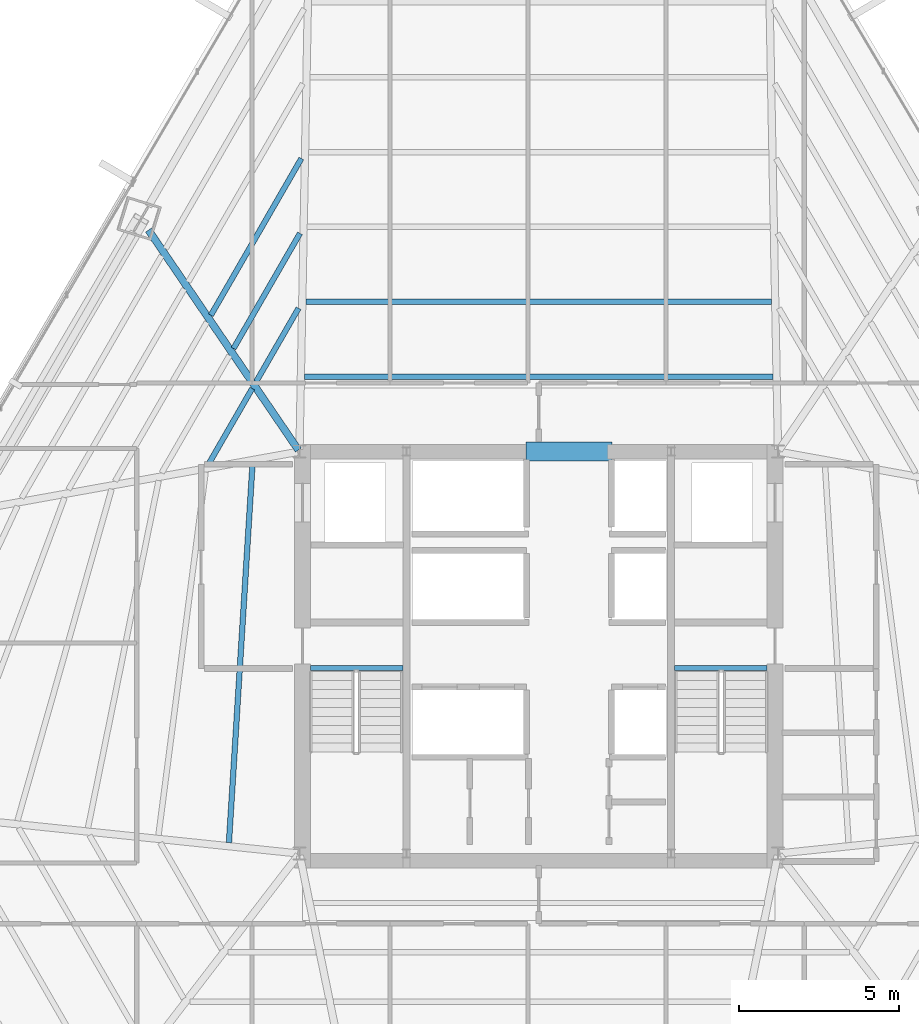
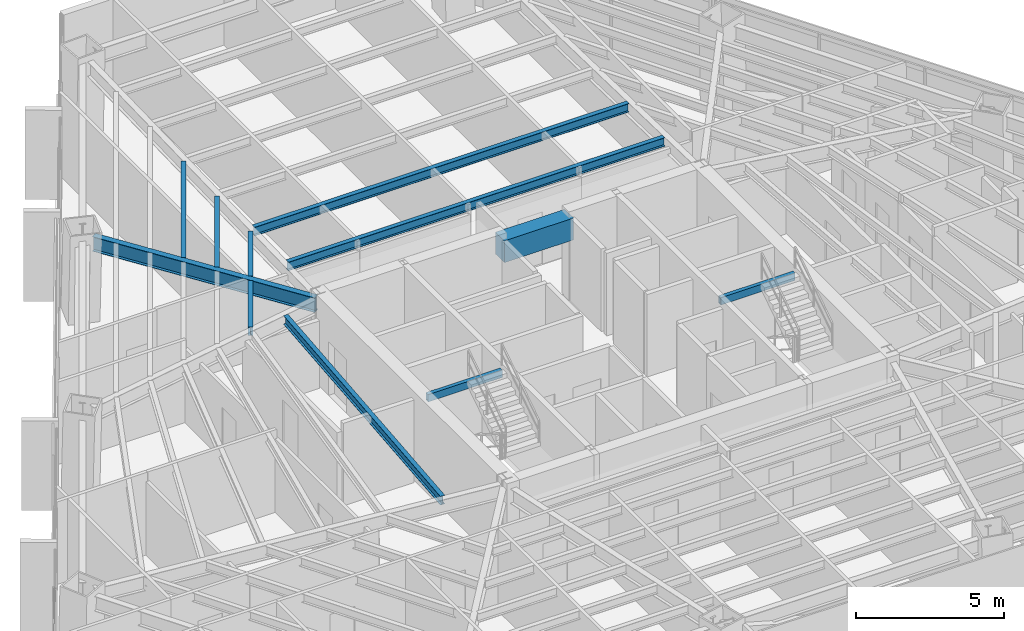
# One storey, part 14 of 36: 11 beams.
"""IFC4 building model written with IfcOpenShell, lengths in metres."""

from ifc_helpers import new_model, si_unit, direction, frame, origin, origin_2d, place, context, subcontext, project, spatial, rectangle, hollow_rectangle, i_section, extrude, source, transform, mapped, material, material_profile, profile_set, type_object, type_shapes, element, save


model = new_model("IFC4")

# Units and contexts
model_context = context("Model", 3, precision=1e-05, world=origin(), true_north=direction((0.0, 1.0)))
body_context = subcontext(model_context, "Body", "Model", "MODEL_VIEW")
ifc_project = project(units=[si_unit("LENGTHUNIT", "METRE"), si_unit("AREAUNIT", "SQUARE_METRE"), si_unit("VOLUMEUNIT", "CUBIC_METRE"), si_unit("PLANEANGLEUNIT", "RADIAN"), si_unit("MASSUNIT", "GRAM", prefix="KILO")], contexts=[model_context])

# Site, building, storey
site_placement = place(None, origin())
site = spatial("IfcSite", under=ifc_project, at=site_placement, CompositionType="ELEMENT")
building_placement = place(site_placement, origin())
building = spatial("IfcBuilding", under=site, at=building_placement, Name="Caelisora Broadcast Tower", CompositionType="ELEMENT")
storey_placement = place(building_placement, frame((0.0, 0.0, 112.699951171875)))
storey = spatial("IfcBuildingStorey", under=building, at=storey_placement, Name="L29", CompositionType="ELEMENT", Elevation=112.699951171875)

# Beams
ifc_material_1 = material(Name="Steel Grade 350 (AS/NZS 1163 C350L0)", Category="steel")
ifc_material_profile_1 = material_profile(ifc_material_1, hollow_rectangle(XDim=0.14990234375, YDim=0.300048828125, WallThickness=0.010009765625, at=origin_2d()), Name="Steel Grade 350 (AS/NZS 1163 C350L0)")
ifc_profile_set_1 = profile_set([ifc_material_profile_1], Name="Steel Grade 350 (AS/NZS 1163 C350L0)")
beam_type_1 = type_object("IfcBeamType", Name="SB05", PredefinedType="JOIST", material=ifc_profile_set_1)
shared_shape_1 = source(origin(), body_context, "Body", "SweptSolid", [
    extrude(hollow_rectangle(XDim=0.14990234375, YDim=0.300048828125, WallThickness=0.010009765625, at=origin_2d()), origin(), (0.0, 0.0, 1.0), 2.89990234375),
])
type_shapes(beam_type_1, [shared_shape_1])
for number, where, z_axis, x_axis, name in (
    (1, (30.840087890625, 23.219970703125, 3.25), (1.0, 0.0, 0.0), (0.0, 1.0, 0.0), "L29 beam SB05"),
    (2, (42.260009765625, 23.219970703125, 3.25), (1.0, 0.0, 0.0), (0.0, 1.0, 0.0), "L29 beam SB05"),
):
    element("IfcBeam", number, at=place(storey_placement, frame(where, z_axis=z_axis, x_axis=x_axis)), inside=storey, type_object=beam_type_1, Name=name, PredefinedType="JOIST", context=body_context, shape_type="MappedRepresentation", body=[
        mapped(shared_shape_1, transform((0.0, 0.0, 0.0), scale=1.0)),
    ])
ifc_material_2 = material(Name="Concrete 50 MPa (AS 3600 S50)", Category="concrete")
ifc_material_profile_2 = material_profile(ifc_material_2, rectangle(XDim=0.60009765625, YDim=0.89990234375, at=origin_2d()), Name="Concrete 50 MPa (AS 3600 S50)")
ifc_profile_set_2 = profile_set([ifc_material_profile_2], Name="Concrete 50 MPa (AS 3600 S50)")
beam_type_2 = type_object("IfcBeamType", Name="CB02", PredefinedType="LINTEL", material=ifc_profile_set_2)
shared_shape_2 = source(origin(), body_context, "Body", "SweptSolid", [
    extrude(rectangle(XDim=0.60009765625, YDim=0.89990234375, at=origin_2d()), origin(), (0.0, 0.0, 1.0), 2.699951171875),
])
type_shapes(beam_type_2, [shared_shape_2])
beam_1_placement = place(storey_placement, frame((37.60009765625, 30.0, 2.949951171875), z_axis=(1.0, 0.0, 0.0), x_axis=(0.0, 1.0, 0.0)))
element("IfcBeam", 3, at=beam_1_placement, inside=storey, type_object=beam_type_2, Name="L29 beam CB02", PredefinedType="LINTEL", context=body_context, shape_type="MappedRepresentation", body=[
    mapped(shared_shape_2, transform((0.0, 0.0, 0.0), scale=1.0)),
])
ifc_material_3 = material(Name="Steel Grade 350 (AS/NZS 3679.1)", Category="steel")
ifc_material_profile_3 = material_profile(ifc_material_3, i_section(OverallWidth=0.22802734375, OverallDepth=0.602294921875, WebThickness=0.010498046875, FlangeThickness=0.014892578125, at=origin_2d()), Name="Steel Grade 350 (AS/NZS 3679.1)")
ifc_profile_set_3 = profile_set([ifc_material_profile_3], Name="Steel Grade 350 (AS/NZS 3679.1)")
beam_type_3 = type_object("IfcBeamType", Name="PG04", PredefinedType="BEAM", material=ifc_profile_set_3)
shared_shape_3 = source(origin(), body_context, "Body", "SweptSolid", [
    extrude(i_section(OverallWidth=0.22802734375, OverallDepth=0.602294921875, WebThickness=0.010498046875, FlangeThickness=0.014892578125, at=origin_2d()), origin(), (0.0, 0.0, 1.0), 8.341796875),
])
type_shapes(beam_type_3, [shared_shape_3])
beam_2_placement = place(storey_placement, frame((30.46630859375, 30.049560546875, 3.098876953125), z_axis=(-0.563100682722, 0.826388299238, 0.0), x_axis=(-0.826388299238, -0.563100682722, 0.0)))
element("IfcBeam", 4, at=beam_2_placement, inside=storey, type_object=beam_type_3, Name="L29 beam PG04", PredefinedType="BEAM", context=body_context, shape_type="MappedRepresentation", body=[
    mapped(shared_shape_3, transform((0.0, 0.0, 0.0), scale=1.0)),
])
ifc_material_profile_4 = material_profile(ifc_material_3, i_section(OverallWidth=0.172119140625, OverallDepth=0.358642578125, WebThickness=0.008056640625, FlangeThickness=0.012939453125, at=origin_2d()), Name="Steel Grade 350 (AS/NZS 3679.1)")
ifc_profile_set_4 = profile_set([ifc_material_profile_4], Name="Steel Grade 350 (AS/NZS 3679.1)")
beam_type_4 = type_object("IfcBeamType", Name="SB02", PredefinedType="JOIST", material=ifc_profile_set_4)
shared_shape_4 = source(origin(), body_context, "Body", "SweptSolid", [
    extrude(i_section(OverallWidth=0.172119140625, OverallDepth=0.358642578125, WebThickness=0.008056640625, FlangeThickness=0.012939453125, at=origin_2d()), origin(), (0.0, 0.0, 1.0), 14.68994140625),
])
beam_3_placement = place(storey_placement, frame((45.344970703125, 32.346923828125, 3.220703125), z_axis=(-1.0, 0.0, 0.0), x_axis=(0.0, -1.0, 0.0)))
element("IfcBeam", 5, at=beam_3_placement, inside=storey, type_object=beam_type_4, Name="L29 beam SB02", PredefinedType="JOIST", context=body_context, shape_type="MappedRepresentation", body=[
    mapped(shared_shape_4, transform((0.0, 0.0, 0.0), scale=1.0)),
])
shared_shape_5 = source(origin(), body_context, "Body", "SweptSolid", [
    extrude(i_section(OverallWidth=0.172119140625, OverallDepth=0.358642578125, WebThickness=0.008056640625, FlangeThickness=0.012939453125, at=origin_2d()), origin(), (0.0, 0.0, 1.0), 14.6015625),
])
beam_4_placement = place(storey_placement, frame((45.30078125, 34.69384765625, 3.220703125), z_axis=(-1.0, 0.0, 0.0), x_axis=(0.0, -1.0, 0.0)))
element("IfcBeam", 6, at=beam_4_placement, inside=storey, type_object=beam_type_4, Name="L29 beam SB02", PredefinedType="JOIST", context=body_context, shape_type="MappedRepresentation", body=[
    mapped(shared_shape_5, transform((0.0, 0.0, 0.0), scale=1.0)),
])
shared_shape_6 = source(origin(), body_context, "Body", "SweptSolid", [
    extrude(i_section(OverallWidth=0.172119140625, OverallDepth=0.358642578125, WebThickness=0.008056640625, FlangeThickness=0.012939453125, at=origin_2d()), origin(), (0.0, 0.0, 1.0), 2.658447265625),
])
beam_5_placement = place(storey_placement, frame((30.4716796875, 34.4921875, 3.220703125), z_axis=(-0.499931786637, -0.866064783206, 0.0), x_axis=(0.866064783206, -0.499931786637, 0.0)))
element("IfcBeam", 7, at=beam_5_placement, inside=storey, type_object=beam_type_4, Name="L29 beam SB02", PredefinedType="JOIST", context=body_context, shape_type="MappedRepresentation", body=[
    mapped(shared_shape_6, transform((0.0, 0.0, 0.0), scale=1.0)),
])
shared_shape_7 = source(origin(), body_context, "Body", "SweptSolid", [
    extrude(i_section(OverallWidth=0.172119140625, OverallDepth=0.358642578125, WebThickness=0.008056640625, FlangeThickness=0.012939453125, at=origin_2d()), origin(), (0.0, 0.0, 1.0), 4.166015625),
])
beam_6_placement = place(storey_placement, frame((30.515869140625, 36.839111328125, 3.220703125), z_axis=(-0.499996383721, -0.866027491634, 0.0), x_axis=(0.866027491634, -0.499996383721, 0.0)))
element("IfcBeam", 8, at=beam_6_placement, inside=storey, type_object=beam_type_4, Name="L29 beam SB02", PredefinedType="JOIST", context=body_context, shape_type="MappedRepresentation", body=[
    mapped(shared_shape_7, transform((0.0, 0.0, 0.0), scale=1.0)),
])
shared_shape_8 = source(origin(), body_context, "Body", "SweptSolid", [
    extrude(i_section(OverallWidth=0.172119140625, OverallDepth=0.358642578125, WebThickness=0.008056640625, FlangeThickness=0.012939453125, at=origin_2d()), origin(), (0.0, 0.0, 1.0), 5.67333984375),
])
beam_7_placement = place(storey_placement, frame((30.559814453125, 39.18603515625, 3.220703125), z_axis=(-0.499994378847, -0.866028649134, 0.0), x_axis=(0.866028649134, -0.499994378847, 0.0)))
element("IfcBeam", 9, at=beam_7_placement, inside=storey, type_object=beam_type_4, Name="L29 beam SB02", PredefinedType="JOIST", context=body_context, shape_type="MappedRepresentation", body=[
    mapped(shared_shape_8, transform((0.0, 0.0, 0.0), scale=1.0)),
])
shared_shape_9 = source(origin(), body_context, "Body", "SweptSolid", [
    extrude(i_section(OverallWidth=0.172119140625, OverallDepth=0.358642578125, WebThickness=0.008056640625, FlangeThickness=0.012939453125, at=origin_2d()), origin(), (0.0, 0.0, 1.0), 2.744873046875),
])
beam_8_placement = place(storey_placement, frame((29.01904296875, 31.975830078125, 3.220703125), z_axis=(-0.50002270823, -0.866012292785, 0.0), x_axis=(0.866012292785, -0.50002270823, 0.0)))
element("IfcBeam", 10, at=beam_8_placement, inside=storey, type_object=beam_type_4, Name="L29 beam SB02", PredefinedType="JOIST", context=body_context, shape_type="MappedRepresentation", body=[
    mapped(shared_shape_9, transform((0.0, 0.0, 0.0), scale=1.0)),
])
shared_shape_10 = source(origin(), body_context, "Body", "SweptSolid", [
    extrude(i_section(OverallWidth=0.172119140625, OverallDepth=0.358642578125, WebThickness=0.008056640625, FlangeThickness=0.012939453125, at=origin_2d()), origin(), (0.0, 0.0, 1.0), 11.9033203125),
])
type_shapes(beam_type_4, [shared_shape_4, shared_shape_5, shared_shape_6, shared_shape_7, shared_shape_8, shared_shape_9, shared_shape_10])
beam_9_placement = place(storey_placement, frame((29.029541015625, 29.621826171875, 3.220703125), z_axis=(-0.062145888799, -0.998067076155, 0.0), x_axis=(0.998067076155, -0.062145888799, 0.0)))
element("IfcBeam", 11, at=beam_9_placement, inside=storey, type_object=beam_type_4, Name="L29 beam SB02", PredefinedType="JOIST", context=body_context, shape_type="MappedRepresentation", body=[
    mapped(shared_shape_10, transform((0.0, 0.0, 0.0), scale=1.0)),
])

save(model, "model.ifc")
